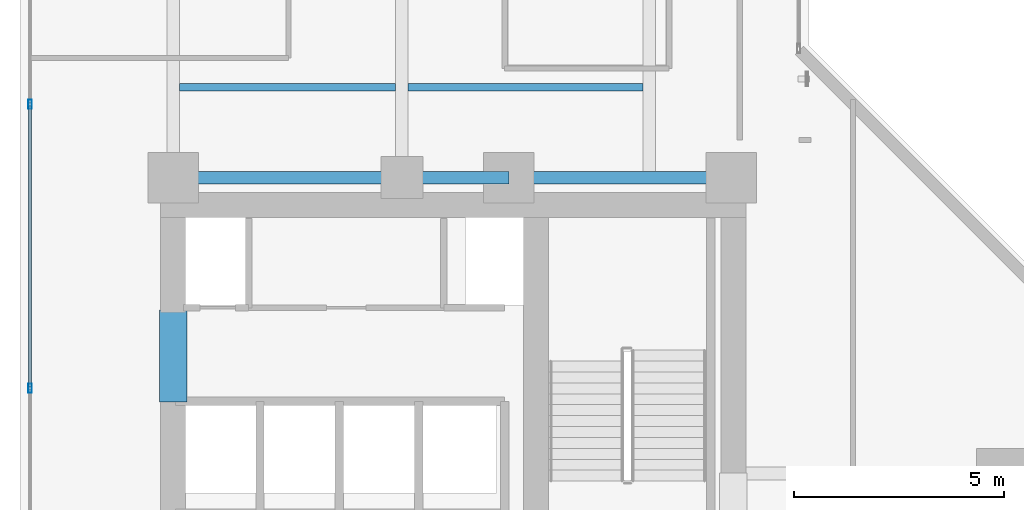
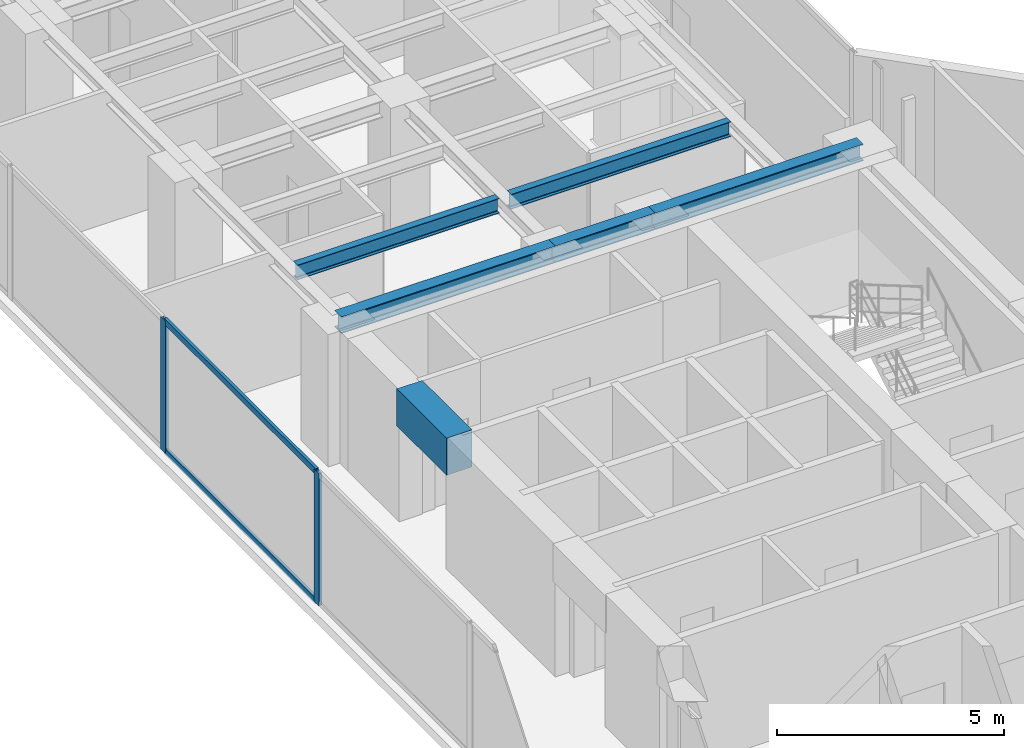
# One storey, part 6 of 24: 6 beams, 4 members, 1 element without a shape of its own.
"""IFC4 building model written with IfcOpenShell, lengths in metres."""

from ifc_helpers import new_model, si_unit, direction, frame, origin, origin_with_axes, origin_2d, place, context, subcontext, project, spatial, rectangle, hollow_rectangle, i_section, extrude, source, transform, mapped, material, layer, layer_set, material_profile, profile_set, type_object, element, aggregate, save


model = new_model("IFC4")

# Units and contexts
model_context = context("Model", 3, precision=1e-05, world=origin(), true_north=direction((0.0, 1.0)))
body_context = subcontext(model_context, "Body", "Model", "MODEL_VIEW")
ifc_project = project(units=[si_unit("LENGTHUNIT", "METRE"), si_unit("AREAUNIT", "SQUARE_METRE"), si_unit("VOLUMEUNIT", "CUBIC_METRE"), si_unit("PLANEANGLEUNIT", "RADIAN"), si_unit("MASSUNIT", "GRAM", prefix="KILO")], contexts=[model_context])

# Site, building, storey
site_placement = place(None, origin())
site = spatial("IfcSite", under=ifc_project, at=site_placement, CompositionType="ELEMENT")
building_placement = place(site_placement, origin())
building = spatial("IfcBuilding", under=site, at=building_placement, Name="Kolvaren Waterfront Exchange", CompositionType="ELEMENT")
storey_placement = place(building_placement, frame((0.0, 0.0, 184.199951171875)))
storey = spatial("IfcBuildingStorey", under=building, at=storey_placement, Name="L47", CompositionType="ELEMENT", Elevation=184.199951171875)

# Beams
ifc_material_1 = material(Name="Steel S355", Category="steel")
ifc_material_profile_1 = material_profile(ifc_material_1, i_section(OverallWidth=0.300048828125, OverallDepth=0.449951171875, WebThickness=0.013916015625, FlangeThickness=0.02587890625, FilletRadius=0.027099609375, at=origin_2d()), Name="HEB450")
ifc_profile_set_1 = profile_set([ifc_material_profile_1], Name="Steel S355")
beam_type_1 = type_object("IfcBeamType", Name="STR-BM-HEB450", PredefinedType="BEAM", material=ifc_profile_set_1)
beam_1_placement = place(storey_placement, frame((7.449951171875, 24.449951171875, 3.3349609375), z_axis=(1.0, 0.0, 0.0), x_axis=(0.0, 1.0, 0.0)))
element("IfcBeam", 1, at=beam_1_placement, inside=storey, type_object=beam_type_1, Name="L47 north-arm girder 1A", PredefinedType="BEAM", context=body_context, shape_type="SweptSolid", body=[
    extrude(i_section(OverallWidth=0.300048828125, OverallDepth=0.449951171875, WebThickness=0.013916015625, FlangeThickness=0.02587890625, FilletRadius=0.027099609375, at=origin_2d()), origin(), (0.0, 0.0, 1.0), 5.449951171875),
])
beam_2_placement = place(storey_placement, frame((12.89990234375, 24.449951171875, 3.3349609375), z_axis=(1.0, 0.0, 0.0), x_axis=(0.0, 1.0, 0.0)))
element("IfcBeam", 2, at=beam_2_placement, inside=storey, type_object=beam_type_1, Name="L47 north-arm girder 1B", PredefinedType="BEAM", context=body_context, shape_type="SweptSolid", body=[
    extrude(i_section(OverallWidth=0.300048828125, OverallDepth=0.449951171875, WebThickness=0.013916015625, FlangeThickness=0.02587890625, FilletRadius=0.027099609375, at=origin_2d()), origin(), (0.0, 0.0, 1.0), 2.550048828125),
])
beam_3_placement = place(storey_placement, frame((15.449951171875, 24.449951171875, 3.3349609375), z_axis=(1.0, 0.0, 0.0), x_axis=(0.0, 1.0, 0.0)))
element("IfcBeam", 3, at=beam_3_placement, inside=storey, type_object=beam_type_1, Name="L47 north-arm girder 1C", PredefinedType="BEAM", context=body_context, shape_type="SweptSolid", body=[
    extrude(i_section(OverallWidth=0.300048828125, OverallDepth=0.449951171875, WebThickness=0.013916015625, FlangeThickness=0.02587890625, FilletRadius=0.027099609375, at=origin_2d()), origin(), (0.0, 0.0, 1.0), 5.300048828125),
])
ifc_material_profile_2 = material_profile(ifc_material_1, i_section(OverallWidth=0.179931640625, OverallDepth=0.39990234375, WebThickness=0.008544921875, FlangeThickness=0.013427734375, FilletRadius=0.02099609375, at=origin_2d()), Name="IPE400")
ifc_profile_set_2 = profile_set([ifc_material_profile_2], Name="Steel S355")
beam_type_2 = type_object("IfcBeamType", Name="STR-BM-IPE400", PredefinedType="JOIST", material=ifc_profile_set_2)
beam_4_placement = place(storey_placement, frame((7.60205078125, 26.60009765625, 3.360107421875), z_axis=(1.0, 0.0, 0.0), x_axis=(0.0, 1.0, 0.0)))
element("IfcBeam", 4, at=beam_4_placement, inside=storey, type_object=beam_type_2, Name="L47 north-arm composite joist 1A", PredefinedType="JOIST", context=body_context, shape_type="SweptSolid", body=[
    extrude(i_section(OverallWidth=0.179931640625, OverallDepth=0.39990234375, WebThickness=0.008544921875, FlangeThickness=0.013427734375, FilletRadius=0.02099609375, at=origin_2d()), origin(), (0.0, 0.0, 1.0), 5.14599609375),
])
beam_5_placement = place(storey_placement, frame((13.052001953125, 26.60009765625, 3.360107421875), z_axis=(1.0, 0.0, 0.0), x_axis=(0.0, 1.0, 0.0)))
element("IfcBeam", 5, at=beam_5_placement, inside=storey, type_object=beam_type_2, Name="L47 north-arm composite joist 1B", PredefinedType="JOIST", context=body_context, shape_type="SweptSolid", body=[
    extrude(i_section(OverallWidth=0.179931640625, OverallDepth=0.39990234375, WebThickness=0.008544921875, FlangeThickness=0.013427734375, FilletRadius=0.02099609375, at=origin_2d()), origin(), (0.0, 0.0, 1.0), 5.595947265625),
])
ifc_material_2 = material(Name="Concrete C60/75", Category="concrete")
ifc_material_profile_3 = material_profile(ifc_material_2, rectangle(XDim=0.64990234375, YDim=1.0, at=origin_2d()), Name="RC-CB-1000x650")
ifc_profile_set_3 = profile_set([ifc_material_profile_3], Name="Concrete C60/75")
beam_type_3 = type_object("IfcBeamType", Name="STR-CB-1000", PredefinedType="SPANDREL", material=ifc_profile_set_3)
beam_6_placement = place(storey_placement, frame((7.449951171875, 19.10009765625, 3.06005859375), z_axis=(0.0, 1.0, 0.0), x_axis=(-1.0, 0.0, 0.0)))
element("IfcBeam", 6, at=beam_6_placement, inside=storey, type_object=beam_type_3, Name="L47 core coupling beam 5", PredefinedType="SPANDREL", context=body_context, shape_type="SweptSolid", body=[
    extrude(rectangle(XDim=0.64990234375, YDim=1.0, at=origin_2d()), origin(), (0.0, 0.0, 1.0), 2.199951171875),
])

# Curtain wall, members
ifc_material_3 = material(Name="Anodised aluminium 6063-T6", Category="aluminium")
ifc_layer = layer(ifc_material_3, 0.219970703125, Name="Anodised aluminium 6063-T6")
ifc_layer_set = layer_set([ifc_layer], Name="Anodised aluminium 6063-T6")
curtain_wall_type = type_object("IfcCurtainWallType", Name="ARC-CW-SYS2", PredefinedType="USERDEFINED", material=ifc_layer_set)
curtain_wall_placement = place(storey_placement, origin())
curtain_wall = element("IfcCurtainWall", 7, at=curtain_wall_placement, inside=storey, type_object=curtain_wall_type, Name="L47 stick curtain wall CW2 (CW-L47-W)", ObjectType="STICK CURTAIN WALL", PredefinedType="USERDEFINED")
ifc_material_profile_4 = material_profile(ifc_material_3, hollow_rectangle(XDim=0.080078125, YDim=0.219970703125, WallThickness=0.0048828125, at=origin_2d()), Name="ALU-MUL-220x80x5")
ifc_profile_set_4 = profile_set([ifc_material_profile_4], Name="Anodised aluminium 6063-T6")
member_type_1 = type_object("IfcMemberType", Name="ARC-CWM-220", PredefinedType="MULLION", material=ifc_profile_set_4)
shared_shape_1 = source(origin_with_axes(), body_context, "Body", "SweptSolid", [
    extrude(hollow_rectangle(XDim=0.080078125, YDim=0.219970703125, WallThickness=0.0048828125, at=origin_2d()), origin(), (0.0, 0.0, 1.0), 3.56005859375),
])
member_1_placement = place(storey_placement, frame((4.0400390625, 19.433349609375, 0.0), z_axis=(0.0, 0.0, 1.0), x_axis=(-1.0, 0.0, 0.0)))
member_1 = element("IfcMember", 8, at=member_1_placement, type_object=member_type_1, Name="CW2 mullion 3", PredefinedType="MULLION", context=body_context, shape_type="MappedRepresentation", body=[
    mapped(shared_shape_1, transform((0.0, 0.0, 0.0), x_axis=(1.0, 0.0, 0.0), y_axis=(0.0, 1.0, 0.0), z_axis=(0.0, 0.0, 1.0), scale=1.0)),
])
member_2_placement = place(storey_placement, frame((4.0400390625, 26.199951171875, 0.0), z_axis=(0.0, 0.0, 1.0), x_axis=(-1.0, 0.0, 0.0)))
member_2 = element("IfcMember", 9, at=member_2_placement, type_object=member_type_1, Name="CW2 mullion 4", PredefinedType="MULLION", context=body_context, shape_type="MappedRepresentation", body=[
    mapped(shared_shape_1, transform((0.0, 0.0, 0.0), x_axis=(1.0, 0.0, 0.0), y_axis=(0.0, 1.0, 0.0), z_axis=(0.0, 0.0, 1.0), scale=1.0)),
])
ifc_material_profile_5 = material_profile(ifc_material_3, hollow_rectangle(XDim=0.074951171875, YDim=0.159912109375, WallThickness=0.00439453125, at=origin_2d()), Name="ALU-TRN-160x75x4.5")
ifc_profile_set_5 = profile_set([ifc_material_profile_5], Name="Anodised aluminium 6063-T6")
member_type_2 = type_object("IfcMemberType", Name="ARC-CWT-160", PredefinedType="USERDEFINED", material=ifc_profile_set_5)
shared_shape_2 = source(origin_with_axes(), body_context, "Body", "SweptSolid", [
    extrude(hollow_rectangle(XDim=0.074951171875, YDim=0.159912109375, WallThickness=0.00439453125, at=origin_2d()), origin(), (0.0, 0.0, 1.0), 6.6865234375),
])
member_3_placement = place(storey_placement, frame((4.0400390625, 19.473388671875, 0.03759765625), z_axis=(0.0, 1.0, 0.0), x_axis=(-1.0, 0.0, 0.0)))
member_3 = element("IfcMember", 10, at=member_3_placement, type_object=member_type_2, Name="CW2 transom 3.1", ObjectType="TRANSOM", PredefinedType="USERDEFINED", context=body_context, shape_type="MappedRepresentation", body=[
    mapped(shared_shape_2, transform((0.0, 0.0, 0.0), x_axis=(1.0, 0.0, 0.0), y_axis=(0.0, 1.0, 0.0), z_axis=(0.0, 0.0, 1.0), scale=1.0)),
])
member_4_placement = place(storey_placement, frame((4.0400390625, 19.473388671875, 3.5224609375), z_axis=(0.0, 1.0, 0.0), x_axis=(-1.0, 0.0, 0.0)))
member_4 = element("IfcMember", 11, at=member_4_placement, type_object=member_type_2, Name="CW2 transom 3.2", ObjectType="TRANSOM", PredefinedType="USERDEFINED", context=body_context, shape_type="MappedRepresentation", body=[
    mapped(shared_shape_2, transform((0.0, 0.0, 0.0), x_axis=(1.0, 0.0, 0.0), y_axis=(0.0, 1.0, 0.0), z_axis=(0.0, 0.0, 1.0), scale=1.0)),
])
aggregate(curtain_wall, [member_1, member_2, member_3, member_4])

save(model, "model.ifc")
